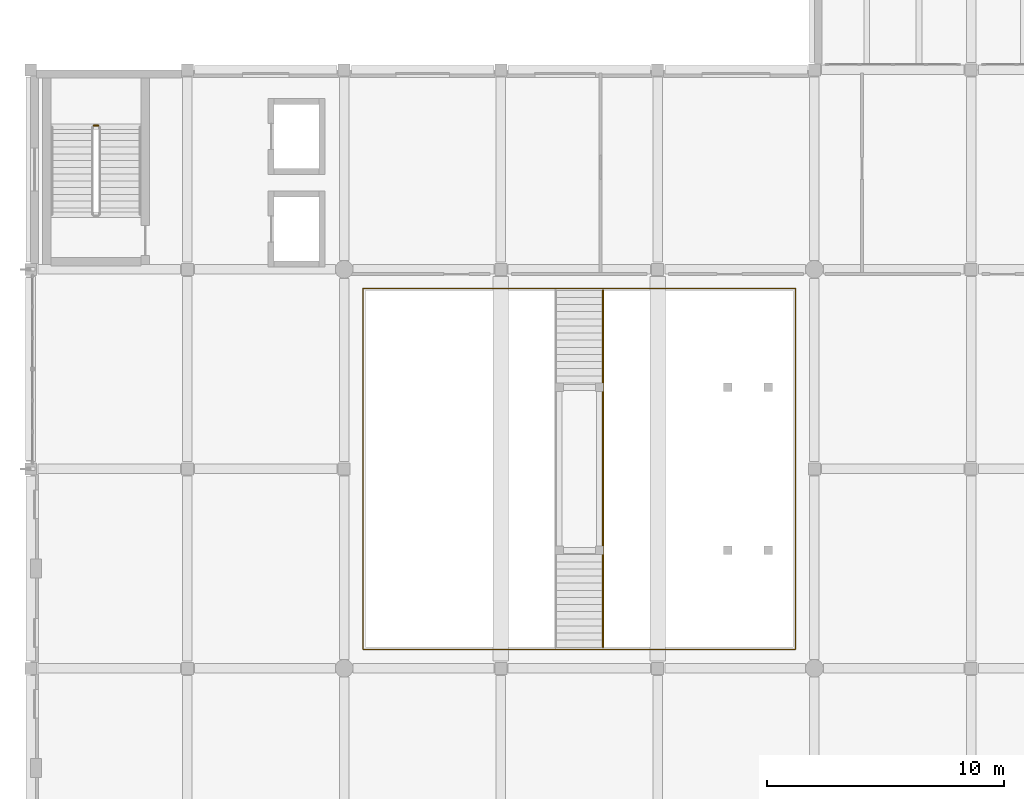
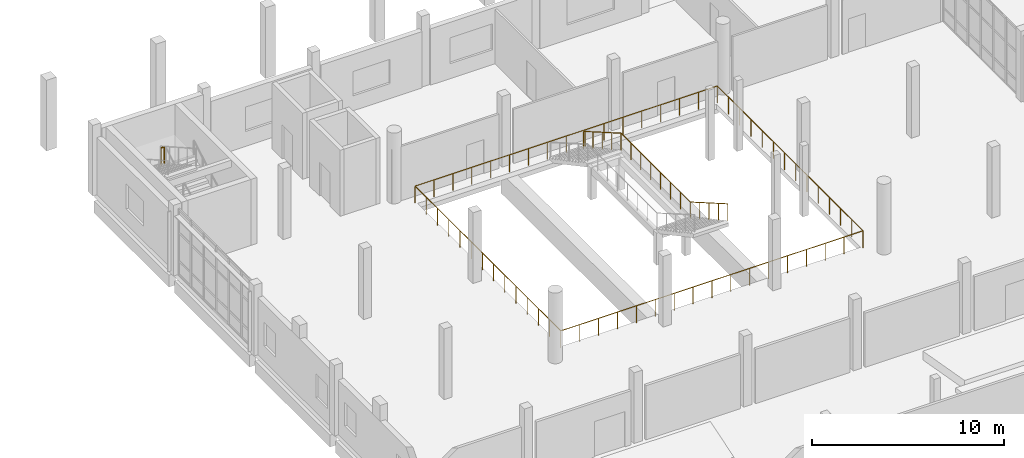
# One storey, part 73 of 83: 3 railings.
"""IFC4 building model written with IfcOpenShell, lengths in metres."""

from ifc_helpers import new_model, si_unit, direction, frame, origin, origin_2d, place, context, subcontext, project, spatial, circle, extrude, material, type_object, element, save


model = new_model("IFC4")

# Units and contexts
model_context = context("Model", 3, precision=1e-05, world=origin(), true_north=direction((0.0, 1.0)))
body_context = subcontext(model_context, "Body", "Model", "MODEL_VIEW")
ifc_project = project(units=[si_unit("LENGTHUNIT", "METRE"), si_unit("AREAUNIT", "SQUARE_METRE"), si_unit("VOLUMEUNIT", "CUBIC_METRE"), si_unit("PLANEANGLEUNIT", "RADIAN"), si_unit("MASSUNIT", "GRAM", prefix="KILO")], contexts=[model_context])

# Site, building, storey
site_placement = place(None, origin())
site = spatial("IfcSite", under=ifc_project, at=site_placement, CompositionType="ELEMENT")
building_placement = place(site_placement, origin())
building = spatial("IfcBuilding", under=site, at=building_placement, Name="Qaldarim Faculty of Natural and Applied Sciences", CompositionType="ELEMENT")
storey_placement = place(building_placement, frame((0.0, 0.0, 5.39990234375)))
storey = spatial("IfcBuildingStorey", under=building, at=storey_placement, Name="L01", CompositionType="ELEMENT", Elevation=5.39990234375)

# Railings
ifc_material = material(Name="Architectural stainless steel 316", Category="steel")
railing_type = type_object("IfcRailingType", Name="GuardBalustrade-1100", PredefinedType="BALUSTRADE", material=ifc_material)
railing_1_placement = place(storey_placement, frame((14.0, 59.60009765625, 0.0)))
element("IfcRailing", 1, at=railing_1_placement, inside=storey, type_object=railing_type, Name="Safety guard balustrade GRD-ATRIUM-L01", PredefinedType="BALUSTRADE", context=body_context, shape_type="SweptSolid", body=[
    extrude(circle(Radius=0.02392578125, at=origin_2d()), frame((0.00390625, 0.0, 1.076171875), z_axis=(1.0, 0.0, 0.0), x_axis=(0.0, 1.0, 0.0)), (0.0, 0.0, 1.0), 18.19189453125),
    extrude(circle(Radius=0.02392578125, at=origin_2d()), frame((18.199951171875, 0.00390625, 1.076171875), z_axis=(0.0, 1.0, 0.0), x_axis=(-1.0, 0.0, 0.0)), (0.0, 0.0, 1.0), 15.19189453125),
    extrude(circle(Radius=0.02392578125, at=origin_2d()), frame((18.196044921875, 15.199951171875, 1.076171875), z_axis=(-1.0, 0.0, 0.0), x_axis=(0.0, -1.0, 0.0)), (0.0, 0.0, 1.0), 18.19189453125),
    extrude(circle(Radius=0.02392578125, at=origin_2d()), frame((0.0, 15.196044921875, 1.076171875), z_axis=(0.0, -1.0, 0.0), x_axis=(1.0, 0.0, 0.0)), (0.0, 0.0, 1.0), 15.19189453125),
    extrude(circle(Radius=0.02099609375, at=origin_2d()), origin(), (0.0, 0.0, 1.0), 1.052001953125),
    extrude(circle(Radius=0.02099609375, at=origin_2d()), frame((1.137451171875, 0.0, 0.0)), (0.0, 0.0, 1.0), 1.052001953125),
    extrude(circle(Radius=0.02099609375, at=origin_2d()), frame((2.27490234375, 0.0, 0.0)), (0.0, 0.0, 1.0), 1.052001953125),
    extrude(circle(Radius=0.02099609375, at=origin_2d()), frame((3.41259765625, 0.0, 0.0)), (0.0, 0.0, 1.0), 1.052001953125),
    extrude(circle(Radius=0.02099609375, at=origin_2d()), frame((4.550048828125, 0.0, 0.0)), (0.0, 0.0, 1.0), 1.052001953125),
    extrude(circle(Radius=0.02099609375, at=origin_2d()), frame((5.6875, 0.0, 0.0)), (0.0, 0.0, 1.0), 1.052001953125),
    extrude(circle(Radius=0.02099609375, at=origin_2d()), frame((6.824951171875, 0.0, 0.0)), (0.0, 0.0, 1.0), 1.052001953125),
    extrude(circle(Radius=0.02099609375, at=origin_2d()), frame((7.96240234375, 0.0, 0.0)), (0.0, 0.0, 1.0), 1.052001953125),
    extrude(circle(Radius=0.02099609375, at=origin_2d()), frame((9.10009765625, 0.0, 0.0)), (0.0, 0.0, 1.0), 1.052001953125),
    extrude(circle(Radius=0.02099609375, at=origin_2d()), frame((10.237548828125, 0.0, 0.0)), (0.0, 0.0, 1.0), 1.052001953125),
    extrude(circle(Radius=0.02099609375, at=origin_2d()), frame((11.375, 0.0, 0.0)), (0.0, 0.0, 1.0), 1.052001953125),
    extrude(circle(Radius=0.02099609375, at=origin_2d()), frame((12.512451171875, 0.0, 0.0)), (0.0, 0.0, 1.0), 1.052001953125),
    extrude(circle(Radius=0.02099609375, at=origin_2d()), frame((13.64990234375, 0.0, 0.0)), (0.0, 0.0, 1.0), 1.052001953125),
    extrude(circle(Radius=0.02099609375, at=origin_2d()), frame((14.787353515625, 0.0, 0.0)), (0.0, 0.0, 1.0), 1.052001953125),
    extrude(circle(Radius=0.02099609375, at=origin_2d()), frame((15.925048828125, 0.0, 0.0)), (0.0, 0.0, 1.0), 1.052001953125),
    extrude(circle(Radius=0.02099609375, at=origin_2d()), frame((17.0625, 0.0, 0.0)), (0.0, 0.0, 1.0), 1.052001953125),
    extrude(circle(Radius=0.02099609375, at=origin_2d()), frame((18.199951171875, 0.0, 0.0)), (0.0, 0.0, 1.0), 1.052001953125),
    extrude(circle(Radius=0.02099609375, at=origin_2d()), frame((18.199951171875, 1.169189453125, 0.0)), (0.0, 0.0, 1.0), 1.052001953125),
    extrude(circle(Radius=0.02099609375, at=origin_2d()), frame((18.199951171875, 2.33837890625, 0.0)), (0.0, 0.0, 1.0), 1.052001953125),
    extrude(circle(Radius=0.02099609375, at=origin_2d()), frame((18.199951171875, 3.507568359375, 0.0)), (0.0, 0.0, 1.0), 1.052001953125),
    extrude(circle(Radius=0.02099609375, at=origin_2d()), frame((18.199951171875, 4.677001953125, 0.0)), (0.0, 0.0, 1.0), 1.052001953125),
    extrude(circle(Radius=0.02099609375, at=origin_2d()), frame((18.199951171875, 5.84619140625, 0.0)), (0.0, 0.0, 1.0), 1.052001953125),
    extrude(circle(Radius=0.02099609375, at=origin_2d()), frame((18.199951171875, 7.015380859375, 0.0)), (0.0, 0.0, 1.0), 1.052001953125),
    extrude(circle(Radius=0.02099609375, at=origin_2d()), frame((18.199951171875, 8.1845703125, 0.0)), (0.0, 0.0, 1.0), 1.052001953125),
    extrude(circle(Radius=0.02099609375, at=origin_2d()), frame((18.199951171875, 9.353759765625, 0.0)), (0.0, 0.0, 1.0), 1.052001953125),
    extrude(circle(Radius=0.02099609375, at=origin_2d()), frame((18.199951171875, 10.52294921875, 0.0)), (0.0, 0.0, 1.0), 1.052001953125),
    extrude(circle(Radius=0.02099609375, at=origin_2d()), frame((18.199951171875, 11.6923828125, 0.0)), (0.0, 0.0, 1.0), 1.052001953125),
    extrude(circle(Radius=0.02099609375, at=origin_2d()), frame((18.199951171875, 12.861572265625, 0.0)), (0.0, 0.0, 1.0), 1.052001953125),
    extrude(circle(Radius=0.02099609375, at=origin_2d()), frame((18.199951171875, 14.03076171875, 0.0)), (0.0, 0.0, 1.0), 1.052001953125),
    extrude(circle(Radius=0.02099609375, at=origin_2d()), frame((18.199951171875, 15.199951171875, 0.0)), (0.0, 0.0, 1.0), 1.052001953125),
    extrude(circle(Radius=0.02099609375, at=origin_2d()), frame((17.0625, 15.199951171875, 0.0)), (0.0, 0.0, 1.0), 1.052001953125),
    extrude(circle(Radius=0.02099609375, at=origin_2d()), frame((15.925048828125, 15.199951171875, 0.0)), (0.0, 0.0, 1.0), 1.052001953125),
    extrude(circle(Radius=0.02099609375, at=origin_2d()), frame((14.787353515625, 15.199951171875, 0.0)), (0.0, 0.0, 1.0), 1.052001953125),
    extrude(circle(Radius=0.02099609375, at=origin_2d()), frame((13.64990234375, 15.199951171875, 0.0)), (0.0, 0.0, 1.0), 1.052001953125),
    extrude(circle(Radius=0.02099609375, at=origin_2d()), frame((12.512451171875, 15.199951171875, 0.0)), (0.0, 0.0, 1.0), 1.052001953125),
    extrude(circle(Radius=0.02099609375, at=origin_2d()), frame((11.375, 15.199951171875, 0.0)), (0.0, 0.0, 1.0), 1.052001953125),
    extrude(circle(Radius=0.02099609375, at=origin_2d()), frame((10.237548828125, 15.199951171875, 0.0)), (0.0, 0.0, 1.0), 1.052001953125),
    extrude(circle(Radius=0.02099609375, at=origin_2d()), frame((9.10009765625, 15.199951171875, 0.0)), (0.0, 0.0, 1.0), 1.052001953125),
    extrude(circle(Radius=0.02099609375, at=origin_2d()), frame((7.96240234375, 15.199951171875, 0.0)), (0.0, 0.0, 1.0), 1.052001953125),
    extrude(circle(Radius=0.02099609375, at=origin_2d()), frame((6.824951171875, 15.199951171875, 0.0)), (0.0, 0.0, 1.0), 1.052001953125),
    extrude(circle(Radius=0.02099609375, at=origin_2d()), frame((5.6875, 15.199951171875, 0.0)), (0.0, 0.0, 1.0), 1.052001953125),
    extrude(circle(Radius=0.02099609375, at=origin_2d()), frame((4.550048828125, 15.199951171875, 0.0)), (0.0, 0.0, 1.0), 1.052001953125),
    extrude(circle(Radius=0.02099609375, at=origin_2d()), frame((3.41259765625, 15.199951171875, 0.0)), (0.0, 0.0, 1.0), 1.052001953125),
    extrude(circle(Radius=0.02099609375, at=origin_2d()), frame((2.27490234375, 15.199951171875, 0.0)), (0.0, 0.0, 1.0), 1.052001953125),
    extrude(circle(Radius=0.02099609375, at=origin_2d()), frame((1.137451171875, 15.199951171875, 0.0)), (0.0, 0.0, 1.0), 1.052001953125),
    extrude(circle(Radius=0.02099609375, at=origin_2d()), frame((0.0, 15.199951171875, 0.0)), (0.0, 0.0, 1.0), 1.052001953125),
    extrude(circle(Radius=0.02099609375, at=origin_2d()), frame((0.0, 14.03076171875, 0.0)), (0.0, 0.0, 1.0), 1.052001953125),
    extrude(circle(Radius=0.02099609375, at=origin_2d()), frame((0.0, 12.861572265625, 0.0)), (0.0, 0.0, 1.0), 1.052001953125),
    extrude(circle(Radius=0.02099609375, at=origin_2d()), frame((0.0, 11.6923828125, 0.0)), (0.0, 0.0, 1.0), 1.052001953125),
    extrude(circle(Radius=0.02099609375, at=origin_2d()), frame((0.0, 10.52294921875, 0.0)), (0.0, 0.0, 1.0), 1.052001953125),
    extrude(circle(Radius=0.02099609375, at=origin_2d()), frame((0.0, 9.353759765625, 0.0)), (0.0, 0.0, 1.0), 1.052001953125),
    extrude(circle(Radius=0.02099609375, at=origin_2d()), frame((0.0, 8.1845703125, 0.0)), (0.0, 0.0, 1.0), 1.052001953125),
    extrude(circle(Radius=0.02099609375, at=origin_2d()), frame((0.0, 7.015380859375, 0.0)), (0.0, 0.0, 1.0), 1.052001953125),
    extrude(circle(Radius=0.02099609375, at=origin_2d()), frame((0.0, 5.84619140625, 0.0)), (0.0, 0.0, 1.0), 1.052001953125),
    extrude(circle(Radius=0.02099609375, at=origin_2d()), frame((0.0, 4.677001953125, 0.0)), (0.0, 0.0, 1.0), 1.052001953125),
    extrude(circle(Radius=0.02099609375, at=origin_2d()), frame((0.0, 3.507568359375, 0.0)), (0.0, 0.0, 1.0), 1.052001953125),
    extrude(circle(Radius=0.02099609375, at=origin_2d()), frame((0.0, 2.33837890625, 0.0)), (0.0, 0.0, 1.0), 1.052001953125),
    extrude(circle(Radius=0.02099609375, at=origin_2d()), frame((0.0, 1.169189453125, 0.0)), (0.0, 0.0, 1.0), 1.052001953125),
])
railing_2_placement = place(storey_placement, frame((2.85009765625, 81.655029296875, 2.25)))
element("IfcRailing", 2, at=railing_2_placement, inside=storey, type_object=railing_type, Name="ST-D2 L01 stair well guard 2", PredefinedType="BALUSTRADE", context=body_context, shape_type="SweptSolid", body=[
    extrude(circle(Radius=0.02392578125, at=origin_2d()), frame((0.0, 0.0, 1.076171875), z_axis=(-1.0, 0.0, 0.0), x_axis=(0.0, -1.0, 0.0)), (0.0, 0.0, 1.0), 0.2001953125),
    extrude(circle(Radius=0.02099609375, at=origin_2d()), origin(), (0.0, 0.0, 1.0), 1.052001953125),
    extrude(circle(Radius=0.02099609375, at=origin_2d()), frame((-0.2001953125, 0.0, 0.0)), (0.0, 0.0, 1.0), 1.052001953125),
])
railing_3_placement = place(storey_placement, frame((24.10009765625, 74.715087890625, 0.0)))
element("IfcRailing", 3, at=railing_3_placement, inside=storey, type_object=railing_type, Name="Atrium monumental stair L01 guard balustrade E", PredefinedType="BALUSTRADE", context=body_context, shape_type="SweptSolid", body=[
    extrude(circle(Radius=0.02392578125, at=origin_2d()), frame((0.0, -0.00341796875, 1.078125), z_axis=(0.0, -0.866193710181, 0.499708371395), x_axis=(1.0, 0.0, 0.0)), (0.0, 0.0, 1.0), 4.49462890625),
    extrude(circle(Radius=0.02392578125, at=origin_2d()), frame((0.0, -3.904052734375, 3.326171875), z_axis=(0.0, -1.0, 0.0), x_axis=(1.0, 0.0, 0.0)), (0.0, 0.0, 1.0), 7.221923828125),
    extrude(circle(Radius=0.02392578125, at=origin_2d()), frame((0.0, -11.133544921875, 3.328125), z_axis=(0.0, -0.866180169578, 0.49973184192), x_axis=(1.0, 0.0, 0.0)), (0.0, 0.0, 1.0), 4.494384765625),
    extrude(circle(Radius=0.02099609375, at=origin_2d()), origin(), (0.0, 0.0, 1.0), 1.052001953125),
    extrude(circle(Radius=0.02099609375, at=origin_2d()), frame((0.0, -0.97509765625, 0.5625)), (0.0, 0.0, 1.0), 1.052001953125),
    extrude(circle(Radius=0.02099609375, at=origin_2d()), frame((0.0, -1.9501953125, 1.125)), (0.0, 0.0, 1.0), 1.052001953125),
    extrude(circle(Radius=0.02099609375, at=origin_2d()), frame((0.0, -2.925048828125, 1.6875)), (0.0, 0.0, 1.0), 1.052001953125),
    extrude(circle(Radius=0.02099609375, at=origin_2d()), frame((0.0, -3.900146484375, 2.25)), (0.0, 0.0, 1.0), 1.052001953125),
    extrude(circle(Radius=0.02099609375, at=origin_2d()), frame((0.0, -4.93310546875, 2.25)), (0.0, 0.0, 1.0), 1.052001953125),
    extrude(circle(Radius=0.02099609375, at=origin_2d()), frame((0.0, -5.9658203125, 2.25)), (0.0, 0.0, 1.0), 1.052001953125),
    extrude(circle(Radius=0.02099609375, at=origin_2d()), frame((0.0, -6.998779296875, 2.25)), (0.0, 0.0, 1.0), 1.052001953125),
    extrude(circle(Radius=0.02099609375, at=origin_2d()), frame((0.0, -8.031494140625, 2.25)), (0.0, 0.0, 1.0), 1.052001953125),
    extrude(circle(Radius=0.02099609375, at=origin_2d()), frame((0.0, -9.064453125, 2.25)), (0.0, 0.0, 1.0), 1.052001953125),
    extrude(circle(Radius=0.02099609375, at=origin_2d()), frame((0.0, -10.09716796875, 2.25)), (0.0, 0.0, 1.0), 1.052001953125),
    extrude(circle(Radius=0.02099609375, at=origin_2d()), frame((0.0, -11.130126953125, 2.25)), (0.0, 0.0, 1.0), 1.052001953125),
    extrude(circle(Radius=0.02099609375, at=origin_2d()), frame((0.0, -12.10498046875, 2.8125)), (0.0, 0.0, 1.0), 1.052001953125),
    extrude(circle(Radius=0.02099609375, at=origin_2d()), frame((0.0, -13.080078125, 3.375)), (0.0, 0.0, 1.0), 1.052001953125),
    extrude(circle(Radius=0.02099609375, at=origin_2d()), frame((0.0, -14.05517578125, 3.9375)), (0.0, 0.0, 1.0), 1.052001953125),
    extrude(circle(Radius=0.02099609375, at=origin_2d()), frame((0.0, -15.030029296875, 4.5)), (0.0, 0.0, 1.0), 1.052001953125),
])

save(model, "model.ifc")
